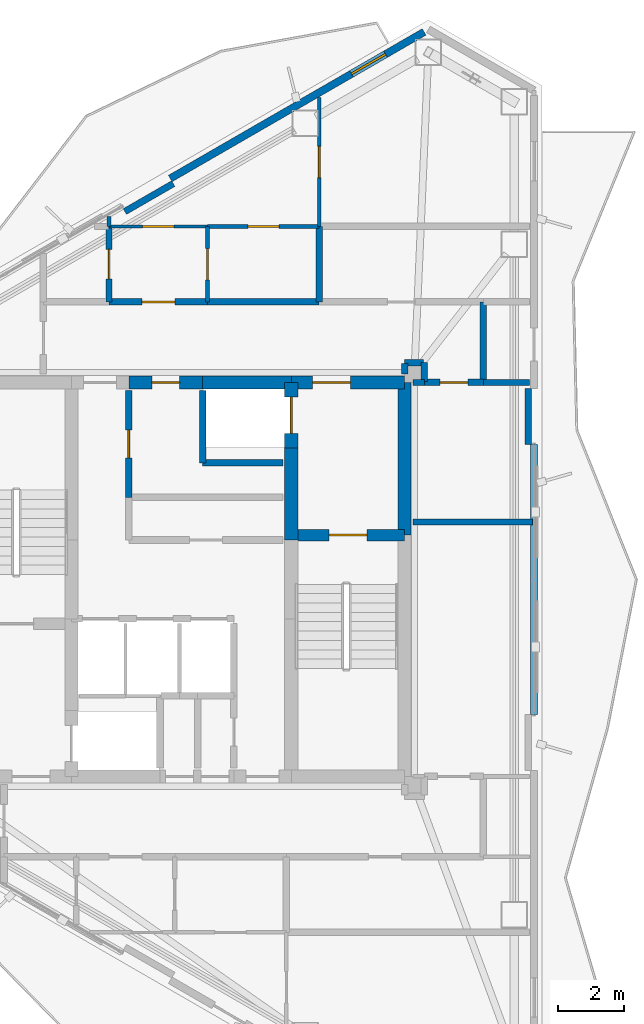
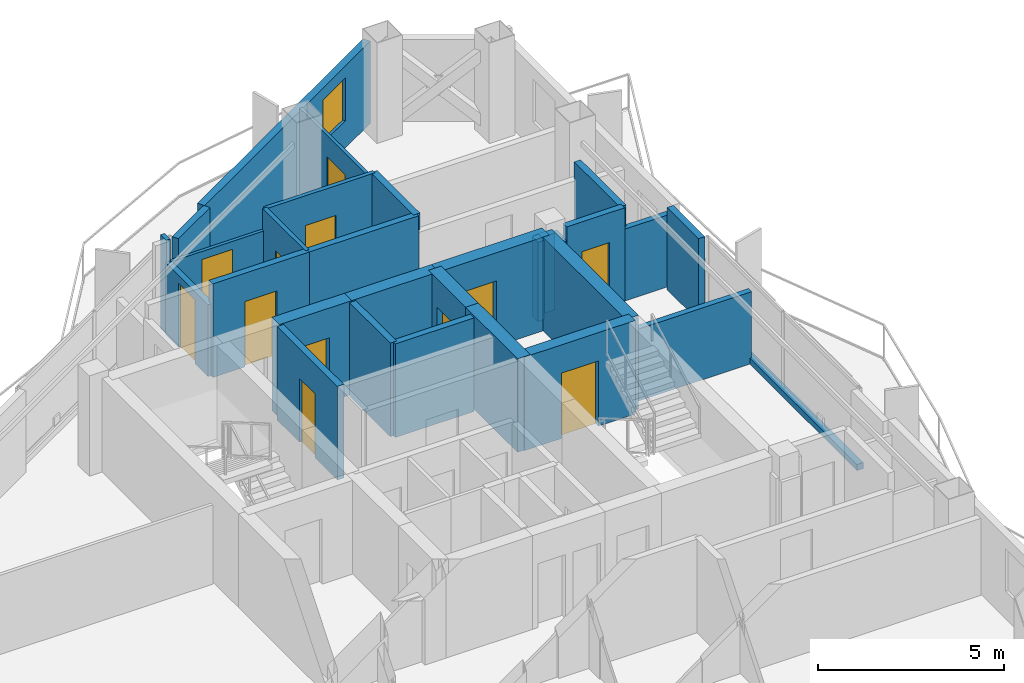
# One storey, part 16 of 18: 31 walls, 12 doors, 1 window, 13 openings.
"""IFC4 building model written with IfcOpenShell, lengths in metres."""

from ifc_helpers import new_model, si_unit, direction, frame, frame_2d, origin, place, context, subcontext, project, spatial, rectangle, extrude, material, layer, layer_set, type_object, element, fill, save


model = new_model("IFC4")

# Units and contexts
model_context = context("Model", 3, precision=1e-05, world=origin(), true_north=direction((0.0, 1.0)))
body_context = subcontext(model_context, "Body", "Model", "MODEL_VIEW")
ifc_project = project(units=[si_unit("LENGTHUNIT", "METRE"), si_unit("AREAUNIT", "SQUARE_METRE"), si_unit("VOLUMEUNIT", "CUBIC_METRE"), si_unit("PLANEANGLEUNIT", "RADIAN"), si_unit("MASSUNIT", "GRAM", prefix="KILO")], contexts=[model_context])

# Site, building, storey
site_placement = place(None, origin())
site = spatial("IfcSite", under=ifc_project, at=site_placement, CompositionType="ELEMENT")
building_placement = place(site_placement, origin())
building = spatial("IfcBuilding", under=site, at=building_placement, Name="Mersakhor Tower and Convention Hall", CompositionType="ELEMENT")
storey_placement = place(building_placement, frame((0.0, 0.0, 229.800048828125)))
storey = spatial("IfcBuildingStorey", under=building, at=storey_placement, Name="L64", CompositionType="ELEMENT", Elevation=229.800048828125)

# Wall, opening, window
ifc_material_1 = material(Name="Precast concrete C40/50", Category="concrete")
ifc_layer_1 = layer(ifc_material_1, 0.22509765625)
ifc_layer_set_1 = layer_set([ifc_layer_1], Name="Precast concrete C40/50")
wall_type_1 = type_object("IfcWallType", Name="WL-EXT-225", PredefinedType="SOLIDWALL", material=ifc_layer_set_1)
wall_1_placement = place(storey_placement, frame((28.66357421875, 38.96044921875, 0.0), z_axis=(0.0, 0.0, 1.0), x_axis=(0.866026655105, 0.499997832642, 0.0)))
wall_1 = element("IfcWall", 1, at=wall_1_placement, inside=storey, type_object=wall_type_1, Name="L64 Exterior Facade Wall F1-B3", PredefinedType="SOLIDWALL", context=body_context, shape_type="SweptSolid", body=[
    extrude(rectangle(XDim=8.927734375, YDim=0.22509765625, at=frame_2d((4.4638671875, 0.0))), origin(), (0.0, 0.0, 1.0), 2.699951171875),
])
opening_1_placement = place(wall_1_placement, frame((6.3720703125, 0.0, 0.89990234375)))
opening_1 = element("IfcOpeningElement", 2, at=opening_1_placement, cuts=wall_1, Name="Opening W-01", PredefinedType="OPENING", context=body_context, shape_type="SweptSolid", body=[
    extrude(rectangle(XDim=1.199951171875, YDim=1.39990234375, at=frame_2d((0.60009765625, 0.699951171875))), frame((0.0, 0.12255859375, 0.0), z_axis=(0.0, -1.0, 0.0), x_axis=(1.0, 0.0, 0.0)), (0.0, 0.0, 1.0), 0.2451171875),
])
ifc_material_2 = material(Name="Dark solar low-E glazed aluminium window", Category="aluminium")
window_type = type_object("IfcWindowType", Name="WN-RES-120x150", PartitioningType="SINGLE_PANEL", PredefinedType="WINDOW", material=ifc_material_2)
window_placement = place(opening_1_placement, origin())
window = element("IfcWindow", 3, at=window_placement, inside=storey, type_object=window_type, Name="L64 Bedroom Facade Window F1-B3-1", OverallHeight=1.39990234375, OverallWidth=1.199951171875, PartitioningType="SINGLE_PANEL", PredefinedType="WINDOW", context=body_context, shape_type="SweptSolid", body=[
    extrude(rectangle(XDim=1.199951171875, YDim=1.39990234375, at=frame_2d((0.60009765625, 0.699951171875))), frame((0.0, 0.030029296875, 0.0), z_axis=(0.0, -1.0, 0.0), x_axis=(1.0, 0.0, 0.0)), (0.0, 0.0, 1.0), 0.06005859375),
])
fill(opening_1, window)

# Walls
ifc_material_3 = material(Name="Precast concrete C40/50", Category="concrete")
ifc_layer_2 = layer(ifc_material_3, 0.199951171875)
ifc_layer_set_2 = layer_set([ifc_layer_2], Name="Precast concrete C40/50")
wall_type_2 = type_object("IfcWallType", Name="WL-PAR-200", PredefinedType="PARAPET", material=ifc_layer_set_2)
wall_2_placement = place(storey_placement, frame((27.28125, 37.95458984375, 0.0), z_axis=(0.0, 0.0, 1.0), x_axis=(0.866025371046, 0.500000056704, 0.0)))
element("IfcWall", 4, at=wall_2_placement, inside=storey, type_object=wall_type_2, Name="L64 Column Pier Cladding Wall F1-C2", PredefinedType="PARAPET", context=body_context, shape_type="SweptSolid", body=[
    extrude(rectangle(XDim=1.7001953125, YDim=0.199951171875, at=frame_2d((0.85009765625, 0.0))), origin(), (0.0, 0.0, 1.0), 2.699951171875),
])
wall_3_placement = place(storey_placement, frame((39.742919921875, 30.864013671875, 0.0), z_axis=(0.0, 0.0, 1.0), x_axis=(0.0, -1.0, 0.0)))
element("IfcWall", 5, at=wall_3_placement, inside=storey, type_object=wall_type_2, Name="L64 Curtain Wall Upstand Sill F2-B2", PredefinedType="PARAPET", context=body_context, shape_type="SweptSolid", body=[
    extrude(rectangle(XDim=8.22802734375, YDim=0.199951171875, at=frame_2d((4.114013671875, 0.0))), origin(), (0.0, 0.0, 1.0), 0.199951171875),
])
wall_4_placement = place(storey_placement, frame((39.562744140625, 32.56396484375, 0.0), z_axis=(0.0, 0.0, 1.0), x_axis=(0.0, -1.0, 0.0)))
element("IfcWall", 6, at=wall_4_placement, inside=storey, type_object=wall_type_2, Name="L64 Column Pier Cladding Wall F2-C1", PredefinedType="PARAPET", context=body_context, shape_type="SweptSolid", body=[
    extrude(rectangle(XDim=1.699951171875, YDim=0.199951171875, at=frame_2d((0.85009765625, 0.0))), origin(), (0.0, 0.0, 1.0), 2.699951171875),
])

# Wall, opening, door
ifc_material_4 = material(Name="Moisture-resistant acoustic drywall studwork", Category="other")
ifc_layer_3 = layer(ifc_material_4, 0.175048828125)
ifc_layer_set_3 = layer_set([ifc_layer_3], Name="Moisture-resistant acoustic drywall studwork")
wall_type_3 = type_object("IfcWallType", Name="WL-PLM-175", PredefinedType="PLUMBINGWALL", material=ifc_layer_set_3)
wall_5_placement = place(storey_placement, frame((26.800048828125, 35.199951171875, 0.0), z_axis=(0.0, 0.0, 1.0), x_axis=(0.0, 1.0, 0.0)))
wall_5 = element("IfcWall", 7, at=wall_5_placement, inside=storey, type_object=wall_type_3, Name="L64 Interior Partition Wall P-038", PredefinedType="PLUMBINGWALL", context=body_context, shape_type="SweptSolid", body=[
    extrude(rectangle(XDim=2.300048828125, YDim=0.175048828125, at=frame_2d((1.14990234375, 0.0))), origin(), (0.0, 0.0, 1.0), 2.364990234375),
])
opening_2_placement = place(wall_5_placement, frame((0.699951171875, 0.0, 0.0)))
opening_2 = element("IfcOpeningElement", 8, at=opening_2_placement, cuts=wall_5, Name="Opening WD-01", PredefinedType="OPENING", context=body_context, shape_type="SweptSolid", body=[
    extrude(rectangle(XDim=0.89990234375, YDim=2.10009765625, at=frame_2d((0.449951171875, 1.050048828125))), frame((0.0, 0.097412109375, 0.0), z_axis=(0.0, -1.0, 0.0), x_axis=(1.0, 0.0, 0.0)), (0.0, 0.0, 1.0), 0.195068359375),
])
ifc_material_5 = material(Name="Solid-core hardwood leaf in painted steel frame", Category="steel")
door_type_1 = type_object("IfcDoorType", Name="DR-INT-WET-090x210", OperationType="NOTDEFINED", PredefinedType="DOOR", material=ifc_material_5)
door_1_placement = place(opening_2_placement, origin())
door_1 = element("IfcDoor", 9, at=door_1_placement, inside=storey, type_object=door_type_1, Name="L64 L64 Flat N1 Apartment Hall to L64 Flat N1 Bathroom Door", OperationType="SINGLE_SWING_RIGHT", OverallHeight=2.10009765625, OverallWidth=0.89990234375, PredefinedType="DOOR", context=body_context, shape_type="SweptSolid", body=[
    extrude(rectangle(XDim=0.89990234375, YDim=2.10009765625, at=frame_2d((0.449951171875, 1.050048828125))), frame((0.0, 0.02490234375, 0.0), z_axis=(0.0, -1.0, 0.0), x_axis=(1.0, 0.0, 0.0)), (0.0, 0.0, 1.0), 0.050048828125),
])
fill(opening_2, door_1)

# Walls
wall_6_placement = place(storey_placement, frame((36.050048828125, 32.75, 0.0), z_axis=(0.0, 0.0, 1.0), x_axis=(1.0, 0.0, 0.0)))
element("IfcWall", 10, at=wall_6_placement, inside=storey, type_object=wall_type_3, Name="L64 Interior Partition Wall P-042", PredefinedType="PLUMBINGWALL", context=body_context, shape_type="SweptSolid", body=[
    extrude(rectangle(XDim=0.349853515625, YDim=0.175048828125, at=frame_2d((0.1748046875, 0.0))), origin(), (0.0, 0.0, 1.0), 2.60498046875),
])
wall_7_placement = place(storey_placement, frame((38.199951171875, 32.75, 0.0), z_axis=(0.0, 0.0, 1.0), x_axis=(1.0, 0.0, 0.0)))
element("IfcWall", 11, at=wall_7_placement, inside=storey, type_object=wall_type_3, Name="L64 Interior Partition Wall P-043", PredefinedType="PLUMBINGWALL", context=body_context, shape_type="SweptSolid", body=[
    extrude(rectangle(XDim=1.40625, YDim=0.175048828125, at=frame_2d((0.703125, 0.0))), origin(), (0.0, 0.0, 1.0), 2.364990234375),
])
wall_8_placement = place(storey_placement, frame((39.702880859375, 28.5, 0.0), z_axis=(0.0, 0.0, 1.0), x_axis=(-1.0, 0.0, 0.0)))
element("IfcWall", 12, at=wall_8_placement, inside=storey, type_object=wall_type_3, Name="L64 Interior Partition Wall P-044", PredefinedType="PLUMBINGWALL", context=body_context, shape_type="SweptSolid", body=[
    extrude(rectangle(XDim=3.65283203125, YDim=0.175048828125, at=frame_2d((1.826416015625, 0.0))), origin(), (0.0, 0.0, 1.0), 2.364990234375),
])

# Wall, opening, door
ifc_material_6 = material(Name="Lightweight gypsum partition", Category="other")
ifc_layer_4 = layer(ifc_material_6, 0.10009765625)
ifc_layer_set_4 = layer_set([ifc_layer_4], Name="Lightweight gypsum partition")
wall_type_4 = type_object("IfcWallType", Name="WL-PRT-100", PredefinedType="PARTITIONING", material=ifc_layer_set_4)
wall_9_placement = place(storey_placement, frame((26.800048828125, 37.5, 0.0), z_axis=(0.0, 0.0, 1.0), x_axis=(1.0, 0.0, 0.0)))
wall_9 = element("IfcWall", 13, at=wall_9_placement, inside=storey, type_object=wall_type_4, Name="L64 Interior Partition Wall P-036", PredefinedType="PARTITIONING", context=body_context, shape_type="SweptSolid", body=[
    extrude(rectangle(XDim=3.0, YDim=0.10009765625, at=frame_2d((1.5, 0.0))), origin(), (0.0, 0.0, 1.0), 2.364990234375),
])
opening_3_placement = place(wall_9_placement, frame((1.02490234375, 0.0, 0.0)))
opening_3 = element("IfcOpeningElement", 14, at=opening_3_placement, cuts=wall_9, Name="Opening RD-01", PredefinedType="OPENING", context=body_context, shape_type="SweptSolid", body=[
    extrude(rectangle(XDim=0.949951171875, YDim=2.10009765625, at=frame_2d((0.47509765625, 1.050048828125))), frame((0.0, 0.06005859375, 0.0), z_axis=(0.0, -1.0, 0.0), x_axis=(1.0, 0.0, 0.0)), (0.0, 0.0, 1.0), 0.1201171875),
])
ifc_material_7 = material(Name="Solid-core hardwood leaf in painted steel frame", Category="steel")
door_type_2 = type_object("IfcDoorType", Name="DR-INT-RM-095x210", OperationType="NOTDEFINED", PredefinedType="DOOR", material=ifc_material_7)
door_2_placement = place(opening_3_placement, origin())
door_2 = element("IfcDoor", 15, at=door_2_placement, inside=storey, type_object=door_type_2, Name="L64 L64 Flat N1 Apartment Hall to L64 Flat N1 Living and Dining Room Door", OperationType="SINGLE_SWING_RIGHT", OverallHeight=2.10009765625, OverallWidth=0.949951171875, PredefinedType="DOOR", context=body_context, shape_type="SweptSolid", body=[
    extrude(rectangle(XDim=0.949951171875, YDim=2.10009765625, at=frame_2d((0.47509765625, 1.050048828125))), frame((0.0, 0.02490234375, 0.0), z_axis=(0.0, -1.0, 0.0), x_axis=(1.0, 0.0, 0.0)), (0.0, 0.0, 1.0), 0.050048828125),
])
fill(opening_3, door_2)

wall_10_placement = place(storey_placement, frame((33.199951171875, 41.422119140625, 0.0), z_axis=(0.0, 0.0, 1.0), x_axis=(0.0, -1.0, 0.0)))
wall_10 = element("IfcWall", 16, at=wall_10_placement, inside=storey, type_object=wall_type_4, Name="L64 Interior Partition Wall P-064", PredefinedType="PARTITIONING", context=body_context, shape_type="SweptSolid", body=[
    extrude(rectangle(XDim=3.922119140625, YDim=0.10009765625, at=frame_2d((1.9609375, 0.0))), origin(), (0.0, 0.0, 1.0), 2.8046875),
])
opening_4_placement = place(wall_10_placement, frame((1.486083984375, 0.0, 0.0)))
opening_4 = element("IfcOpeningElement", 17, at=opening_4_placement, cuts=wall_10, Name="Opening RD-01", PredefinedType="OPENING", context=body_context, shape_type="SweptSolid", body=[
    extrude(rectangle(XDim=0.949951171875, YDim=2.10009765625, at=frame_2d((0.47509765625, 1.050048828125))), frame((0.0, 0.06005859375, 0.0), z_axis=(0.0, -1.0, 0.0), x_axis=(1.0, 0.0, 0.0)), (0.0, 0.0, 1.0), 0.1201171875),
])
door_3_placement = place(opening_4_placement, origin())
door_3 = element("IfcDoor", 18, at=door_3_placement, inside=storey, type_object=door_type_2, Name="L64 L64 Flat N1 Living and Dining Room to L64 Flat N1 Master Bedroom Door", OperationType="SINGLE_SWING_RIGHT", OverallHeight=2.10009765625, OverallWidth=0.949951171875, PredefinedType="DOOR", context=body_context, shape_type="SweptSolid", body=[
    extrude(rectangle(XDim=0.949951171875, YDim=2.10009765625, at=frame_2d((0.47509765625, 1.050048828125))), frame((0.0, 0.02490234375, 0.0), z_axis=(0.0, -1.0, 0.0), x_axis=(1.0, 0.0, 0.0)), (0.0, 0.0, 1.0), 0.050048828125),
])
fill(opening_4, door_3)

ifc_material_8 = material(Name="Gypsum board acoustic partition", Category="other")
ifc_layer_5 = layer(ifc_material_8, 0.125)
ifc_layer_set_5 = layer_set([ifc_layer_5], Name="Gypsum board acoustic partition")
wall_type_5 = type_object("IfcWallType", Name="WL-PRT-125", PredefinedType="PARTITIONING", material=ifc_layer_set_5)
wall_11_placement = place(storey_placement, frame((29.800048828125, 37.5, 0.0), z_axis=(0.0, 0.0, 1.0), x_axis=(0.0, -1.0, 0.0)))
wall_11 = element("IfcWall", 19, at=wall_11_placement, inside=storey, type_object=wall_type_5, Name="L64 Interior Partition Wall P-037", PredefinedType="PARTITIONING", context=body_context, shape_type="SweptSolid", body=[
    extrude(rectangle(XDim=2.300048828125, YDim=0.125, at=frame_2d((1.14990234375, 0.0))), origin(), (0.0, 0.0, 1.0), 3.079833984375),
])
opening_5_placement = place(wall_11_placement, frame((0.675048828125, 0.0, 0.0)))
opening_5 = element("IfcOpeningElement", 20, at=opening_5_placement, cuts=wall_11, Name="Opening RD-01", PredefinedType="OPENING", context=body_context, shape_type="SweptSolid", body=[
    extrude(rectangle(XDim=0.949951171875, YDim=2.10009765625, at=frame_2d((0.47509765625, 1.050048828125))), frame((0.0, 0.072509765625, 0.0), z_axis=(0.0, -1.0, 0.0), x_axis=(1.0, 0.0, 0.0)), (0.0, 0.0, 1.0), 0.14501953125),
])
door_4_placement = place(opening_5_placement, origin())
door_4 = element("IfcDoor", 21, at=door_4_placement, inside=storey, type_object=door_type_2, Name="L64 L64 Flat N1 Apartment Hall to L64 Flat N1 Kitchen Door", OperationType="SINGLE_SWING_LEFT", OverallHeight=2.10009765625, OverallWidth=0.949951171875, PredefinedType="DOOR", context=body_context, shape_type="SweptSolid", body=[
    extrude(rectangle(XDim=0.949951171875, YDim=2.10009765625, at=frame_2d((0.47509765625, 1.050048828125))), frame((0.0, 0.02490234375, 0.0), z_axis=(0.0, -1.0, 0.0), x_axis=(1.0, 0.0, 0.0)), (0.0, 0.0, 1.0), 0.050048828125),
])
fill(opening_5, door_4)

wall_12_placement = place(storey_placement, frame((29.800048828125, 37.5, 0.0), z_axis=(0.0, 0.0, 1.0), x_axis=(1.0, 0.0, 0.0)))
wall_12 = element("IfcWall", 22, at=wall_12_placement, inside=storey, type_object=wall_type_5, Name="L64 Interior Partition Wall P-047", PredefinedType="PARTITIONING", context=body_context, shape_type="SweptSolid", body=[
    extrude(rectangle(XDim=3.39990234375, YDim=0.125, at=frame_2d((1.699951171875, 0.0))), origin(), (0.0, 0.0, 1.0), 3.079833984375),
])
opening_6_placement = place(wall_12_placement, frame((1.22509765625, 0.0, 0.0)))
opening_6 = element("IfcOpeningElement", 23, at=opening_6_placement, cuts=wall_12, Name="Opening RD-01", PredefinedType="OPENING", context=body_context, shape_type="SweptSolid", body=[
    extrude(rectangle(XDim=0.949951171875, YDim=2.10009765625, at=frame_2d((0.47509765625, 1.050048828125))), frame((0.0, 0.072509765625, 0.0), z_axis=(0.0, -1.0, 0.0), x_axis=(1.0, 0.0, 0.0)), (0.0, 0.0, 1.0), 0.14501953125),
])
door_5_placement = place(opening_6_placement, origin())
door_5 = element("IfcDoor", 24, at=door_5_placement, inside=storey, type_object=door_type_2, Name="L64 L64 Flat N1 Kitchen to L64 Flat N1 Living and Dining Room Door", OperationType="SINGLE_SWING_RIGHT", OverallHeight=2.10009765625, OverallWidth=0.949951171875, PredefinedType="DOOR", context=body_context, shape_type="SweptSolid", body=[
    extrude(rectangle(XDim=0.949951171875, YDim=2.10009765625, at=frame_2d((0.47509765625, 1.050048828125))), frame((0.0, 0.02490234375, 0.0), z_axis=(0.0, -1.0, 0.0), x_axis=(1.0, 0.0, 0.0)), (0.0, 0.0, 1.0), 0.050048828125),
])
fill(opening_6, door_5)

# Walls
wall_13_placement = place(storey_placement, frame((26.800048828125, 37.5, 0.0), z_axis=(0.0, 0.0, 1.0), x_axis=(0.0, 1.0, 0.0)))
element("IfcWall", 25, at=wall_13_placement, inside=storey, type_object=wall_type_5, Name="L64 Interior Partition Wall P-063", PredefinedType="PARTITIONING", context=body_context, shape_type="SweptSolid", body=[
    extrude(rectangle(XDim=0.308349609375, YDim=0.125, at=frame_2d((0.154296875, 0.0))), origin(), (0.0, 0.0, 1.0), 3.079833984375),
])
ifc_material_9 = material(Name="Acoustic concrete blockwork and gypsum board", Category="masonry")
ifc_layer_6 = layer(ifc_material_9, 0.199951171875)
ifc_layer_set_6 = layer_set([ifc_layer_6], Name="Acoustic concrete blockwork and gypsum board")
wall_type_6 = type_object("IfcWallType", Name="WL-PRT-200", PredefinedType="PARTITIONING", material=ifc_layer_set_6)
wall_14_placement = place(storey_placement, frame((32.10009765625, 30.300048828125, 0.0), z_axis=(0.0, 0.0, 1.0), x_axis=(-1.0, 0.0, 0.0)))
element("IfcWall", 26, at=wall_14_placement, inside=storey, type_object=wall_type_6, Name="L64 Interior Partition Wall P-004", PredefinedType="PARTITIONING", context=body_context, shape_type="SweptSolid", body=[
    extrude(rectangle(XDim=2.4501953125, YDim=0.199951171875, at=frame_2d((1.22509765625, 0.0))), origin(), (0.0, 0.0, 1.0), 3.079833984375),
])
wall_15_placement = place(storey_placement, frame((29.64990234375, 30.300048828125, 0.0), z_axis=(0.0, 0.0, 1.0), x_axis=(0.0, 1.0, 0.0)))
element("IfcWall", 27, at=wall_15_placement, inside=storey, type_object=wall_type_6, Name="L64 Interior Partition Wall P-005", PredefinedType="PARTITIONING", context=body_context, shape_type="SweptSolid", body=[
    extrude(rectangle(XDim=2.199951171875, YDim=0.199951171875, at=frame_2d((1.10009765625, 0.0))), origin(), (0.0, 0.0, 1.0), 3.079833984375),
])

# Wall, opening, door
wall_16_placement = place(storey_placement, frame((27.39990234375, 32.5, 0.0), z_axis=(0.0, 0.0, 1.0), x_axis=(0.0, -1.0, 0.0)))
wall_16 = element("IfcWall", 28, at=wall_16_placement, inside=storey, type_object=wall_type_6, Name="L64 Interior Partition Wall P-013", PredefinedType="PARTITIONING", context=body_context, shape_type="SweptSolid", body=[
    extrude(rectangle(XDim=3.25, YDim=0.199951171875, at=frame_2d((1.625, 0.0))), origin(), (0.0, 0.0, 1.0), 3.079833984375),
])
opening_7_placement = place(wall_16_placement, frame((1.199951171875, 0.0, 0.0)))
opening_7 = element("IfcOpeningElement", 29, at=opening_7_placement, cuts=wall_16, Name="Opening SVD-01", PredefinedType="OPENING", context=body_context, shape_type="SweptSolid", body=[
    extrude(rectangle(XDim=0.85009765625, YDim=2.10009765625, at=frame_2d((0.425048828125, 1.050048828125))), frame((0.0, 0.10986328125, 0.0), z_axis=(0.0, -1.0, 0.0), x_axis=(1.0, 0.0, 0.0)), (0.0, 0.0, 1.0), 0.219970703125),
])
ifc_material_10 = material(Name="Fire-rated hardwood leaf and painted steel frame", Category="steel")
door_type_3 = type_object("IfcDoorType", Name="DR-INT-SVC-085x210", OperationType="NOTDEFINED", PredefinedType="DOOR", material=ifc_material_10)
door_6_placement = place(opening_7_placement, origin())
door_6 = element("IfcDoor", 30, at=door_6_placement, inside=storey, type_object=door_type_3, Name="L64 Central Passenger Lift Lobby to Resident Recycling and Utility Store Door", OperationType="SINGLE_SWING_RIGHT", OverallHeight=2.10009765625, OverallWidth=0.85009765625, PredefinedType="DOOR", context=body_context, shape_type="SweptSolid", body=[
    extrude(rectangle(XDim=0.85009765625, YDim=2.10009765625, at=frame_2d((0.425048828125, 1.050048828125))), frame((0.0, 0.02490234375, 0.0), z_axis=(0.0, -1.0, 0.0), x_axis=(1.0, 0.0, 0.0)), (0.0, 0.0, 1.0), 0.050048828125),
])
fill(opening_7, door_6)

wall_17_placement = place(storey_placement, frame((26.800048828125, 35.199951171875, 0.0), z_axis=(0.0, 0.0, 1.0), x_axis=(1.0, 0.0, 0.0)))
wall_17 = element("IfcWall", 31, at=wall_17_placement, inside=storey, type_object=wall_type_6, Name="L64 Interior Partition Wall P-017", PredefinedType="PARTITIONING", context=body_context, shape_type="SweptSolid", body=[
    extrude(rectangle(XDim=3.0, YDim=0.199951171875, at=frame_2d((1.5, 0.0))), origin(), (0.0, 0.0, 1.0), 3.079833984375),
])
opening_8_placement = place(wall_17_placement, frame((1.0, 0.0, 0.0)))
opening_8 = element("IfcOpeningElement", 32, at=opening_8_placement, cuts=wall_17, Name="Opening FD-01", PredefinedType="OPENING", context=body_context, shape_type="SweptSolid", body=[
    extrude(rectangle(XDim=1.0, YDim=2.14990234375, at=frame_2d((0.5, 1.074951171875))), frame((0.0, 0.10986328125, 0.0), z_axis=(0.0, -1.0, 0.0), x_axis=(1.0, 0.0, 0.0)), (0.0, 0.0, 1.0), 0.219970703125),
])
ifc_material_11 = material(Name="Fire-rated hardwood leaf and painted steel frame", Category="steel")
door_type_4 = type_object("IfcDoorType", Name="DR-INT-FLT-100x215", OperationType="NOTDEFINED", PredefinedType="DOOR", material=ifc_material_11)
door_7_placement = place(opening_8_placement, origin())
door_7 = element("IfcDoor", 33, at=door_7_placement, inside=storey, type_object=door_type_4, Name="L64 Apartment Entrance Door (Residential North Gallery Corridor to L64 Flat N1 Apartment Hall)", OperationType="SINGLE_SWING_LEFT", OverallHeight=2.14990234375, OverallWidth=1.0, PredefinedType="DOOR", context=body_context, shape_type="SweptSolid", body=[
    extrude(rectangle(XDim=1.0, YDim=2.14990234375, at=frame_2d((0.5, 1.074951171875))), frame((0.0, 0.02490234375, 0.0), z_axis=(0.0, -1.0, 0.0), x_axis=(1.0, 0.0, 0.0)), (0.0, 0.0, 1.0), 0.050048828125),
])
fill(opening_8, door_7)

# Walls
wall_18_placement = place(storey_placement, frame((29.800048828125, 35.199951171875, 0.0), z_axis=(0.0, 0.0, 1.0), x_axis=(1.0, 0.0, 0.0)))
element("IfcWall", 34, at=wall_18_placement, inside=storey, type_object=wall_type_6, Name="L64 Interior Partition Wall P-018", PredefinedType="PARTITIONING", context=body_context, shape_type="SweptSolid", body=[
    extrude(rectangle(XDim=3.39990234375, YDim=0.199951171875, at=frame_2d((1.699951171875, 0.0))), origin(), (0.0, 0.0, 1.0), 3.079833984375),
])
wall_19_placement = place(storey_placement, frame((38.199951171875, 35.199951171875, 0.0), z_axis=(0.0, 0.0, 1.0), x_axis=(0.0, -1.0, 0.0)))
element("IfcWall", 35, at=wall_19_placement, inside=storey, type_object=wall_type_6, Name="L64 Interior Partition Wall P-020", PredefinedType="PARTITIONING", context=body_context, shape_type="SweptSolid", body=[
    extrude(rectangle(XDim=2.449951171875, YDim=0.199951171875, at=frame_2d((1.22509765625, 0.0))), origin(), (0.0, 0.0, 1.0), 3.079833984375),
])

# Wall, opening, door
wall_20_placement = place(storey_placement, frame((38.199951171875, 32.75, 0.0), z_axis=(0.0, 0.0, 1.0), x_axis=(-1.0, 0.0, 0.0)))
wall_20 = element("IfcWall", 36, at=wall_20_placement, inside=storey, type_object=wall_type_6, Name="L64 Interior Partition Wall P-021", PredefinedType="PARTITIONING", context=body_context, shape_type="SweptSolid", body=[
    extrude(rectangle(XDim=1.800048828125, YDim=0.199951171875, at=frame_2d((0.89990234375, 0.0))), origin(), (0.0, 0.0, 1.0), 3.079833984375),
])
opening_9_placement = place(wall_20_placement, frame((0.47509765625, 0.0, 0.0)))
opening_9 = element("IfcOpeningElement", 37, at=opening_9_placement, cuts=wall_20, Name="Opening SVD-01", PredefinedType="OPENING", context=body_context, shape_type="SweptSolid", body=[
    extrude(rectangle(XDim=0.85009765625, YDim=2.10009765625, at=frame_2d((0.425048828125, 1.050048828125))), frame((0.0, 0.10986328125, 0.0), z_axis=(0.0, -1.0, 0.0), x_axis=(1.0, 0.0, 0.0)), (0.0, 0.0, 1.0), 0.219970703125),
])
door_8_placement = place(opening_9_placement, origin())
door_8 = element("IfcDoor", 38, at=door_8_placement, inside=storey, type_object=door_type_3, Name="L64 Residential North Gallery Corridor to L64 East Crown Public Restroom WC Door", OperationType="SINGLE_SWING_RIGHT", OverallHeight=2.10009765625, OverallWidth=0.85009765625, PredefinedType="DOOR", context=body_context, shape_type="SweptSolid", body=[
    extrude(rectangle(XDim=0.85009765625, YDim=2.10009765625, at=frame_2d((0.425048828125, 1.050048828125))), frame((0.0, 0.02490234375, 0.0), z_axis=(0.0, -1.0, 0.0), x_axis=(1.0, 0.0, 0.0)), (0.0, 0.0, 1.0), 0.050048828125),
])
fill(opening_9, door_8)

# Walls
for number, where, z_axis, x_axis, name in (
    (39, (36.39990234375, 32.780029296875, 0.0), (0.0, 0.0, 1.0), (0.0, 1.0, 0.0), "L64 Interior Partition Wall P-022"),
    (40, (36.3701171875, 33.35009765625, 0.0), (0.0, 0.0, 1.0), (-1.0, 0.0, 0.0), "L64 Interior Partition Wall P-023"),
):
    element("IfcWall", number, at=place(storey_placement, frame(where, z_axis=z_axis, x_axis=x_axis)), inside=storey, type_object=wall_type_6, Name=name, PredefinedType="PARTITIONING", context=body_context, shape_type="SweptSolid", body=[
        extrude(rectangle(XDim=0.570068359375, YDim=0.199951171875, at=frame_2d((0.28515625, 0.0))), origin(), (0.0, 0.0, 1.0), 2.5283203125),
    ])
wall_21_placement = place(storey_placement, frame((35.800048828125, 33.320068359375, 0.0), z_axis=(0.0, 0.0, 1.0), x_axis=(0.0, -1.0, 0.0)))
element("IfcWall", 41, at=wall_21_placement, inside=storey, type_object=wall_type_6, Name="L64 Interior Partition Wall P-024", PredefinedType="PARTITIONING", context=body_context, shape_type="SweptSolid", body=[
    extrude(rectangle(XDim=0.320068359375, YDim=0.199951171875, at=frame_2d((0.16015625, 0.0))), origin(), (0.0, 0.0, 1.0), 2.60498046875),
])
wall_22_placement = place(storey_placement, frame((33.199951171875, 37.5, 0.0), z_axis=(0.0, 0.0, 1.0), x_axis=(0.0, -1.0, 0.0)))
element("IfcWall", 42, at=wall_22_placement, inside=storey, type_object=wall_type_6, Name="L64 Interior Partition Wall P-048", PredefinedType="PARTITIONING", context=body_context, shape_type="SweptSolid", body=[
    extrude(rectangle(XDim=2.300048828125, YDim=0.199951171875, at=frame_2d((1.14990234375, 0.0))), origin(), (0.0, 0.0, 1.0), 3.079833984375),
])

# Wall, opening, door
ifc_material_12 = material(Name="Concrete C50/60", Category="concrete")
ifc_layer_7 = layer(ifc_material_12, 0.35009765625)
ifc_layer_set_7 = layer_set([ifc_layer_7], Name="Concrete C50/60")
wall_type_7 = type_object("IfcWallType", Name="WL-SHR-350", PredefinedType="SHEAR", material=ifc_layer_set_7)
wall_23_placement = place(storey_placement, frame((32.35009765625, 28.10009765625, 0.0), z_axis=(0.0, 0.0, 1.0), x_axis=(1.0, 0.0, 0.0)))
wall_23 = element("IfcWall", 43, at=wall_23_placement, inside=storey, type_object=wall_type_7, Name="L64 Core Wall CS-ST2-N", PredefinedType="SHEAR", context=body_context, shape_type="SweptSolid", body=[
    extrude(rectangle(XDim=3.449951171875, YDim=0.35009765625, at=frame_2d((1.72509765625, 0.0))), origin(), (0.0, 0.0, 1.0), 3.079833984375),
])
opening_10_placement = place(wall_23_placement, frame((1.14990234375, 0.0, 0.0)))
opening_10 = element("IfcOpeningElement", 44, at=opening_10_placement, cuts=wall_23, Name="Opening SD-01", PredefinedType="OPENING", context=body_context, shape_type="SweptSolid", body=[
    extrude(rectangle(XDim=1.14990234375, YDim=2.14990234375, at=frame_2d((0.574951171875, 1.074951171875))), frame((0.0, 0.18505859375, 0.0), z_axis=(0.0, -1.0, 0.0), x_axis=(1.0, 0.0, 0.0)), (0.0, 0.0, 1.0), 0.3701171875),
])
ifc_material_13 = material(Name="Fire-rated hardwood leaf and painted steel frame", Category="steel")
door_type_5 = type_object("IfcDoorType", Name="DR-INT-STAIR-115x215", OperationType="NOTDEFINED", PredefinedType="DOOR", material=ifc_material_13)
door_9_placement = place(opening_10_placement, origin())
door_9 = element("IfcDoor", 45, at=door_9_placement, inside=storey, type_object=door_type_5, Name="L64 Exit Stair ST-2 Enclosure Door", OperationType="SINGLE_SWING_RIGHT", OverallHeight=2.14990234375, OverallWidth=1.14990234375, PredefinedType="DOOR", context=body_context, shape_type="SweptSolid", body=[
    extrude(rectangle(XDim=1.14990234375, YDim=2.14990234375, at=frame_2d((0.574951171875, 1.074951171875))), frame((0.0, 0.02490234375, 0.0), z_axis=(0.0, -1.0, 0.0), x_axis=(1.0, 0.0, 0.0)), (0.0, 0.0, 1.0), 0.050048828125),
])
fill(opening_10, door_9)

ifc_material_14 = material(Name="Concrete C60/75", Category="concrete")
ifc_layer_8 = layer(ifc_material_14, 0.39990234375)
ifc_layer_set_8 = layer_set([ifc_layer_8], Name="Concrete C60/75")
wall_type_8 = type_object("IfcWallType", Name="WL-SHR-400", PredefinedType="SHEAR", material=ifc_layer_set_8)
wall_24_placement = place(storey_placement, frame((27.39990234375, 32.75, 0.0), z_axis=(0.0, 0.0, 1.0), x_axis=(1.0, 0.0, 0.0)))
wall_24 = element("IfcWall", 46, at=wall_24_placement, inside=storey, type_object=wall_type_8, Name="L64 Core Wall CW-N2B", PredefinedType="SHEAR", context=body_context, shape_type="SweptSolid", body=[
    extrude(rectangle(XDim=2.25, YDim=0.39990234375, at=frame_2d((1.125, 0.0))), origin(), (0.0, 0.0, 1.0), 3.079833984375),
])
opening_11_placement = place(wall_24_placement, frame((0.699951171875, 0.0, 0.0)))
opening_11 = element("IfcOpeningElement", 47, at=opening_11_placement, cuts=wall_24, Name="Opening SVD-01", PredefinedType="OPENING", context=body_context, shape_type="SweptSolid", body=[
    extrude(rectangle(XDim=0.85009765625, YDim=2.10009765625, at=frame_2d((0.425048828125, 1.050048828125))), frame((0.0, 0.2099609375, 0.0), z_axis=(0.0, -1.0, 0.0), x_axis=(1.0, 0.0, 0.0)), (0.0, 0.0, 1.0), 0.419921875),
])
door_10_placement = place(opening_11_placement, origin())
door_10 = element("IfcDoor", 48, at=door_10_placement, inside=storey, type_object=door_type_3, Name="L64 Residential North Gallery Corridor to Resident Recycling and Utility Store Door", OperationType="SINGLE_SWING_LEFT", OverallHeight=2.10009765625, OverallWidth=0.85009765625, PredefinedType="DOOR", context=body_context, shape_type="SweptSolid", body=[
    extrude(rectangle(XDim=0.85009765625, YDim=2.10009765625, at=frame_2d((0.425048828125, 1.050048828125))), frame((0.0, 0.02490234375, 0.0), z_axis=(0.0, -1.0, 0.0), x_axis=(1.0, 0.0, 0.0)), (0.0, 0.0, 1.0), 0.050048828125),
])
fill(opening_11, door_10)

# Wall
wall_25_placement = place(storey_placement, frame((29.64990234375, 32.75, 0.0), z_axis=(0.0, 0.0, 1.0), x_axis=(1.0, 0.0, 0.0)))
element("IfcWall", 49, at=wall_25_placement, inside=storey, type_object=wall_type_8, Name="L64 Core Wall CW-N3", PredefinedType="SHEAR", context=body_context, shape_type="SweptSolid", body=[
    extrude(rectangle(XDim=2.7001953125, YDim=0.39990234375, at=frame_2d((1.35009765625, 0.0))), origin(), (0.0, 0.0, 1.0), 3.079833984375),
])

# Wall, opening, door
wall_26_placement = place(storey_placement, frame((32.35009765625, 32.75, 0.0), z_axis=(0.0, 0.0, 1.0), x_axis=(1.0, 0.0, 0.0)))
wall_26 = element("IfcWall", 50, at=wall_26_placement, inside=storey, type_object=wall_type_8, Name="L64 Core Wall CW-N4", PredefinedType="SHEAR", context=body_context, shape_type="SweptSolid", body=[
    extrude(rectangle(XDim=3.449951171875, YDim=0.39990234375, at=frame_2d((1.72509765625, 0.0))), origin(), (0.0, 0.0, 1.0), 3.079833984375),
])
opening_12_placement = place(wall_26_placement, frame((0.64990234375, 0.0, 0.0)))
opening_12 = element("IfcOpeningElement", 51, at=opening_12_placement, cuts=wall_26, Name="Opening SD-01", PredefinedType="OPENING", context=body_context, shape_type="SweptSolid", body=[
    extrude(rectangle(XDim=1.14990234375, YDim=2.14990234375, at=frame_2d((0.574951171875, 1.074951171875))), frame((0.0, 0.2099609375, 0.0), z_axis=(0.0, -1.0, 0.0), x_axis=(1.0, 0.0, 0.0)), (0.0, 0.0, 1.0), 0.419921875),
])
door_11_placement = place(opening_12_placement, origin())
door_11 = element("IfcDoor", 52, at=door_11_placement, inside=storey, type_object=door_type_5, Name="L64 Firefighting Lobby East Fire Door", OperationType="SINGLE_SWING_RIGHT", OverallHeight=2.14990234375, OverallWidth=1.14990234375, PredefinedType="DOOR", context=body_context, shape_type="SweptSolid", body=[
    extrude(rectangle(XDim=1.14990234375, YDim=2.14990234375, at=frame_2d((0.574951171875, 1.074951171875))), frame((0.0, 0.02490234375, 0.0), z_axis=(0.0, -1.0, 0.0), x_axis=(1.0, 0.0, 0.0)), (0.0, 0.0, 1.0), 0.050048828125),
])
fill(opening_12, door_11)

# Walls
wall_27_placement = place(storey_placement, frame((35.800048828125, 32.75, 0.0), z_axis=(0.0, 0.0, 1.0), x_axis=(0.0, -1.0, 0.0)))
element("IfcWall", 53, at=wall_27_placement, inside=storey, type_object=wall_type_8, Name="L64 Core Wall CW-E1", PredefinedType="SHEAR", context=body_context, shape_type="SweptSolid", body=[
    extrude(rectangle(XDim=4.64990234375, YDim=0.39990234375, at=frame_2d((2.324951171875, 0.0))), origin(), (0.0, 0.0, 1.0), 3.079833984375),
])
wall_28_placement = place(storey_placement, frame((32.35009765625, 27.949951171875, 0.0), z_axis=(0.0, 0.0, 1.0), x_axis=(0.0, 1.0, 0.0)))
element("IfcWall", 54, at=wall_28_placement, inside=storey, type_object=wall_type_8, Name="L64 Core Wall CS-E-MID", PredefinedType="SHEAR", context=body_context, shape_type="SweptSolid", body=[
    extrude(rectangle(XDim=2.800048828125, YDim=0.39990234375, at=frame_2d((1.39990234375, 0.0))), origin(), (0.0, 0.0, 1.0), 3.079833984375),
])

# Wall, opening, door
wall_29_placement = place(storey_placement, frame((32.35009765625, 30.75, 0.0), z_axis=(0.0, 0.0, 1.0), x_axis=(0.0, 1.0, 0.0)))
wall_29 = element("IfcWall", 55, at=wall_29_placement, inside=storey, type_object=wall_type_8, Name="L64 Core Wall CS-E-FFL", PredefinedType="SHEAR", context=body_context, shape_type="SweptSolid", body=[
    extrude(rectangle(XDim=2.0, YDim=0.39990234375, at=frame_2d((1.0, 0.0))), origin(), (0.0, 0.0, 1.0), 3.079833984375),
])
opening_13_placement = place(wall_29_placement, frame((0.449951171875, 0.0, 0.0)))
opening_13 = element("IfcOpeningElement", 56, at=opening_13_placement, cuts=wall_29, Name="Opening LD-FFL2", PredefinedType="OPENING", context=body_context, shape_type="SweptSolid", body=[
    extrude(rectangle(XDim=1.10009765625, YDim=2.14990234375, at=frame_2d((0.550048828125, 1.074951171875))), frame((0.0, 0.2099609375, 0.0), z_axis=(0.0, -1.0, 0.0), x_axis=(1.0, 0.0, 0.0)), (0.0, 0.0, 1.0), 0.419921875),
])
ifc_material_15 = material(Name="Fire-rated brushed stainless steel sliding landing door", Category="steel")
door_type_6 = type_object("IfcDoorType", Name="DR-LIFT-SLD-110x215", OperationType="NOTDEFINED", PredefinedType="DOOR", material=ifc_material_15)
door_12_placement = place(opening_13_placement, origin())
door_12 = element("IfcDoor", 57, at=door_12_placement, inside=storey, type_object=door_type_6, Name="L64 Firefighting Lift Landing Door LD-FFL2", OperationType="SLIDING_TO_LEFT", OverallHeight=2.14990234375, OverallWidth=1.10009765625, PredefinedType="DOOR", context=body_context, shape_type="SweptSolid", body=[
    extrude(rectangle(XDim=1.10009765625, YDim=2.14990234375, at=frame_2d((0.550048828125, 1.074951171875))), frame((0.0, 0.02490234375, 0.0), z_axis=(0.0, -1.0, 0.0), x_axis=(1.0, 0.0, 0.0)), (0.0, 0.0, 1.0), 0.050048828125),
])
fill(opening_13, door_12)

save(model, "model.ifc")
